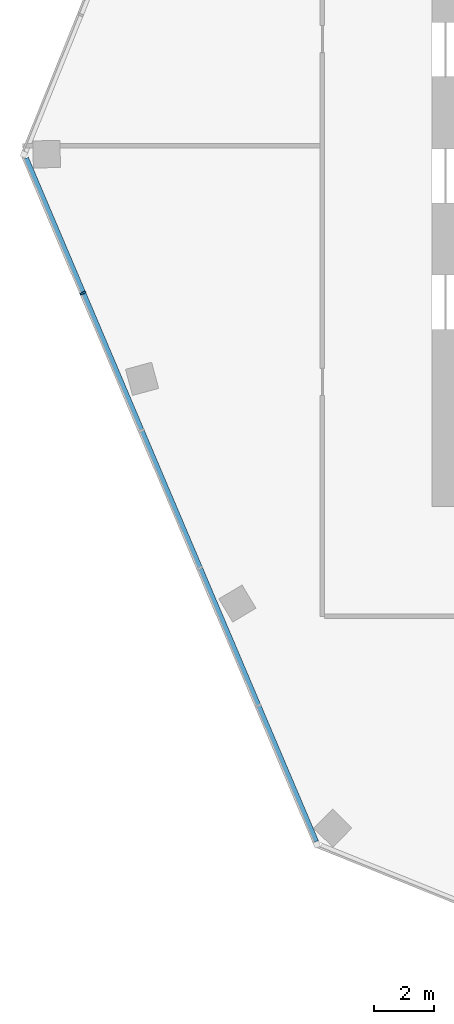
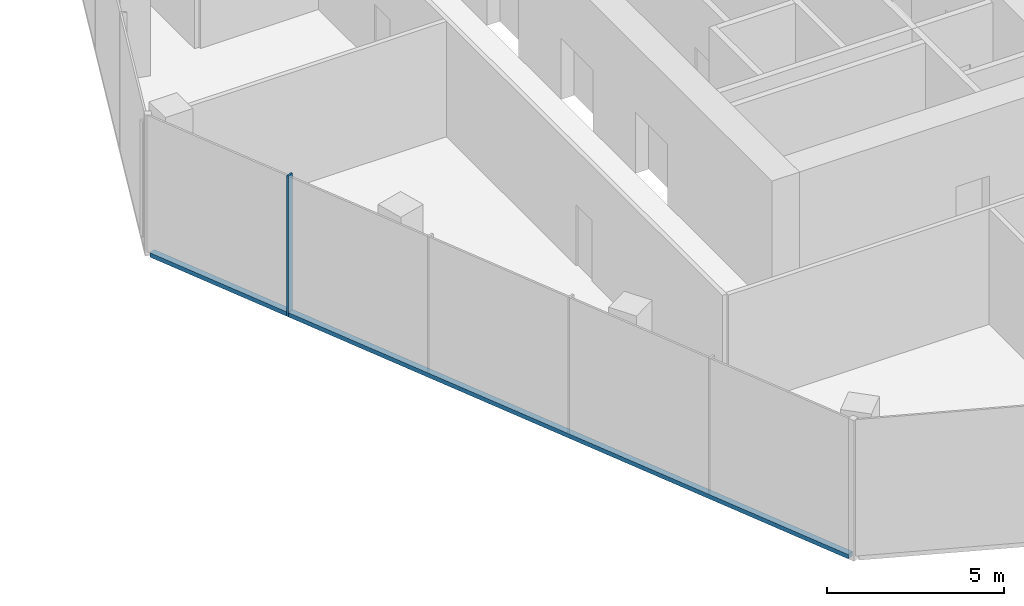
# One storey, part 3 of 15: 2 members, 1 element without a shape of its own.
"""IFC4 building model written with IfcOpenShell, lengths in metres."""

from ifc_helpers import new_model, si_unit, direction, frame, origin, origin_2d, place, context, subcontext, project, spatial, rectangle, extrude, material, material_profile, profile_set, type_object, element, aggregate, save


model = new_model("IFC4")

# Units and contexts
model_context = context("Model", 3, precision=1e-05, world=origin(), true_north=direction((0.0, 1.0)))
body_context = subcontext(model_context, "Body", "Model", "MODEL_VIEW")
ifc_project = project(units=[si_unit("LENGTHUNIT", "METRE"), si_unit("AREAUNIT", "SQUARE_METRE"), si_unit("VOLUMEUNIT", "CUBIC_METRE"), si_unit("PLANEANGLEUNIT", "RADIAN"), si_unit("MASSUNIT", "GRAM", prefix="KILO")], contexts=[model_context])

# Site, building, storey
site_placement = place(None, origin())
site = spatial("IfcSite", under=ifc_project, at=site_placement, CompositionType="ELEMENT")
building_placement = place(site_placement, origin())
building = spatial("IfcBuilding", under=site, at=building_placement, Name="Orlundy Tower", CompositionType="ELEMENT")
storey_placement = place(building_placement, frame((0.0, 0.0, 299.89990234375)))
storey = spatial("IfcBuildingStorey", under=building, at=storey_placement, Name="L80", CompositionType="ELEMENT", Elevation=299.89990234375)

# Curtain wall, members
ifc_material_1 = material(Name="Aluminium bronze anodised", Category="aluminium")
curtain_wall_type = type_object("IfcCurtainWallType", Name="CW4 wall", PredefinedType="NOTDEFINED", material=ifc_material_1)
curtain_wall_placement = place(storey_placement, origin())
curtain_wall = element("IfcCurtainWall", 1, at=curtain_wall_placement, inside=storey, type_object=curtain_wall_type, Name="CW4 run 04", PredefinedType="NOTDEFINED")
ifc_material_2 = material(Name="Aluminium bronze anodised", Category="aluminium")
ifc_material_profile_1 = material_profile(ifc_material_2, rectangle(XDim=0.199951171875, YDim=0.06005859375, at=origin_2d()), Name="CW4 mullion 60x200")
ifc_profile_set_1 = profile_set([ifc_material_profile_1], Name="Aluminium bronze anodised")
member_type_1 = type_object("IfcMemberType", Name="CW4 mullion 60x200", PredefinedType="MULLION", material=ifc_profile_set_1)
member_1_placement = place(storey_placement, frame((-30.620849609375, -4.897705078125, -0.449951171875), z_axis=(0.0, 0.0, 1.0), x_axis=(-0.920506804854, -0.390726531244, 0.0)))
member_1 = element("IfcMember", 2, at=member_1_placement, type_object=member_type_1, Name="CW4 mullion 25", PredefinedType="MULLION", context=body_context, shape_type="SweptSolid", body=[
    extrude(rectangle(XDim=0.199951171875, YDim=0.06005859375, at=origin_2d()), origin(), (0.0, 0.0, 1.0), 4.85009765625),
])
ifc_material_3 = material(Name="Aluminium bronze anodised", Category="aluminium")
ifc_material_profile_2 = material_profile(ifc_material_3, rectangle(XDim=0.199951171875, YDim=0.14990234375, at=origin_2d()), Name="CW4 transom 200x150")
ifc_profile_set_2 = profile_set([ifc_material_profile_2], Name="Aluminium bronze anodised")
member_type_2 = type_object("IfcMemberType", Name="CW4 transom 200x150", PredefinedType="USERDEFINED", material=ifc_profile_set_2)
member_2_placement = place(storey_placement, frame((-22.875, -23.146240234375, -0.375), z_axis=(-0.390720451262, 0.920509385594, 0.0), x_axis=(-0.920509385594, -0.390720451262, 0.0)))
member_2 = element("IfcMember", 3, at=member_2_placement, type_object=member_type_2, Name="CW4 transom", ObjectType="TRANSOM", PredefinedType="USERDEFINED", context=body_context, shape_type="SweptSolid", body=[
    extrude(rectangle(XDim=0.199951171875, YDim=0.14990234375, at=origin_2d()), origin(), (0.0, 0.0, 1.0), 24.6953125),
])
aggregate(curtain_wall, [member_1, member_2])

save(model, "model.ifc")
